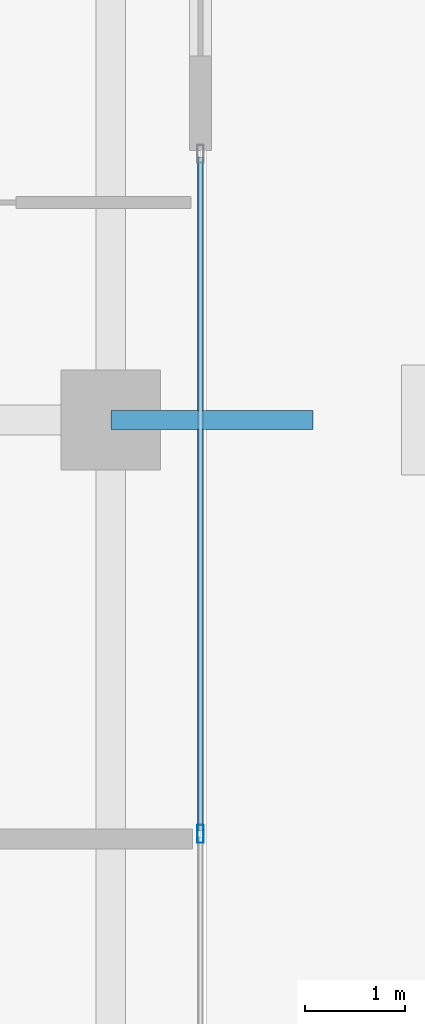
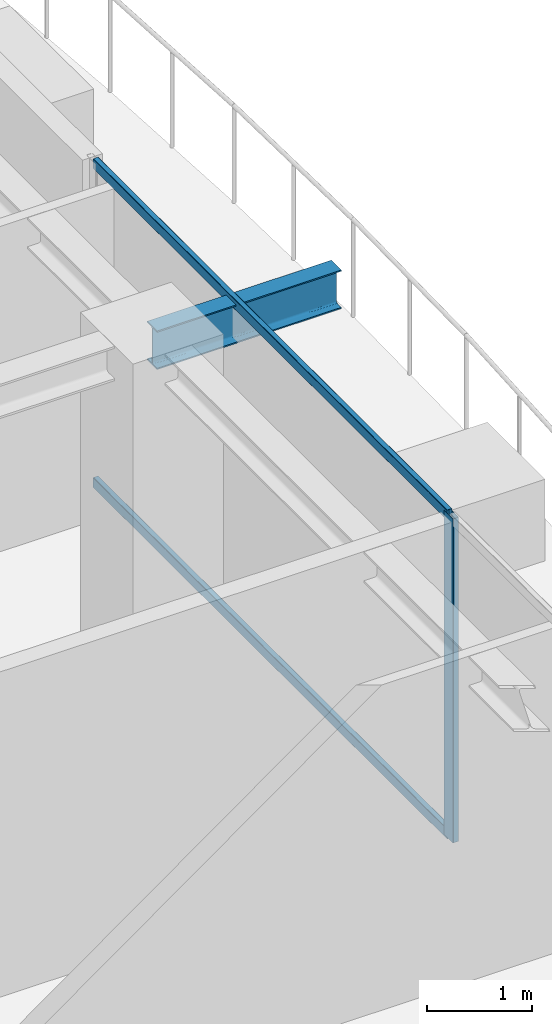
# One storey, part 15 of 41: 3 members, 1 beam, 1 element without a shape of its own.
"""IFC4 building model written with IfcOpenShell, lengths in metres."""

from ifc_helpers import new_model, si_unit, direction, frame, origin, origin_2d, place, context, subcontext, project, spatial, hollow_rectangle, i_section, extrude, source, transform, mapped, material, layer, layer_set, material_profile, profile_set, type_object, element, aggregate, save


model = new_model("IFC4")

# Units and contexts
model_context = context("Model", 3, precision=1e-05, world=origin(), true_north=direction((0.0, 1.0)))
body_context = subcontext(model_context, "Body", "Model", "MODEL_VIEW")
ifc_project = project(units=[si_unit("LENGTHUNIT", "METRE"), si_unit("AREAUNIT", "SQUARE_METRE"), si_unit("VOLUMEUNIT", "CUBIC_METRE"), si_unit("PLANEANGLEUNIT", "RADIAN"), si_unit("MASSUNIT", "GRAM", prefix="KILO")], contexts=[model_context])

# Site, building, storey
site_placement = place(None, origin())
site = spatial("IfcSite", under=ifc_project, at=site_placement, CompositionType="ELEMENT")
building_placement = place(site_placement, origin())
building = spatial("IfcBuilding", under=site, at=building_placement, Name="Serunith Strait Residences", CompositionType="ELEMENT")
storey_placement = place(building_placement, frame((0.0, 0.0, 301.550048828125)))
storey = spatial("IfcBuildingStorey", under=building, at=storey_placement, Name="L75", CompositionType="ELEMENT", Elevation=301.550048828125)

# Beam
ifc_material_1 = material(Name="Steel S355J2", Category="steel")
ifc_material_profile_1 = material_profile(ifc_material_1, i_section(OverallWidth=0.18994140625, OverallDepth=0.449951171875, WebThickness=0.009521484375, FlangeThickness=0.0146484375, FilletRadius=0.02099609375, at=origin_2d()), Name="IPE 450")
ifc_profile_set_1 = profile_set([ifc_material_profile_1], Name="Steel S355J2")
beam_type = type_object("IfcBeamType", Name="BM-IPE450", PredefinedType="JOIST", material=ifc_profile_set_1)
shared_shape_1 = source(origin(), body_context, "Body", "SweptSolid", [
    extrude(i_section(OverallWidth=0.18994140625, OverallDepth=0.449951171875, WebThickness=0.009521484375, FlangeThickness=0.0146484375, FilletRadius=0.02099609375, at=origin_2d()), origin(), (0.0, 0.0, 1.0), 2.030029296875),
])
beam_placement = place(storey_placement, frame((54.699951171875, 21.0, 3.531982421875), z_axis=(1.0, 0.0, 0.0), x_axis=(0.0, 1.0, 0.0)))
element("IfcBeam", 1, at=beam_placement, inside=storey, type_object=beam_type, Name="L76 Cantilevered Balcony Rib TC-E2", PredefinedType="JOIST", context=body_context, shape_type="MappedRepresentation", body=[
    mapped(shared_shape_1, transform((0.0, 0.0, 0.0), scale=1.0)),
])

# Curtain wall, members
ifc_material_2 = material(Name="Brushed Stainless-Silver Aluminium", Category="aluminium")
ifc_layer = layer(ifc_material_2, 0.199951171875, Name="Brushed Stainless-Silver Aluminium")
ifc_layer_set = layer_set([ifc_layer], Name="Brushed Stainless-Silver Aluminium")
curtain_wall_type = type_object("IfcCurtainWallType", Name="CW-SYS5", PredefinedType="NOTDEFINED", material=ifc_layer_set)
curtain_wall_placement = place(storey_placement, origin())
curtain_wall = element("IfcCurtainWall", 2, at=curtain_wall_placement, inside=storey, type_object=curtain_wall_type, Name="L75 E Unitised Fritted Curtain Wall", PredefinedType="NOTDEFINED")
ifc_material_profile_2 = material_profile(ifc_material_2, hollow_rectangle(XDim=0.06005859375, YDim=0.1201171875, WallThickness=0.00341796875, InnerFilletRadius=0.00537109375, OuterFilletRadius=0.0087890625, at=origin_2d()), Name="ALU 120x60x3.5")
ifc_profile_set_2 = profile_set([ifc_material_profile_2], Name="Brushed Stainless-Silver Aluminium")
member_type_1 = type_object("IfcMemberType", Name="CW-SYS5-TRAN", PredefinedType="USERDEFINED", material=ifc_profile_set_2)
shared_shape_2 = source(origin(), body_context, "Body", "SweptSolid", [
    extrude(hollow_rectangle(XDim=0.06005859375, YDim=0.1201171875, WallThickness=0.00341796875, InnerFilletRadius=0.00537109375, OuterFilletRadius=0.0087890625, at=origin_2d()), origin(), (0.0, 0.0, 1.0), 6.75244140625),
])
member_1_placement = place(storey_placement, frame((55.60009765625, 16.882568359375, 0.030029296875), z_axis=(0.0, 1.0, 0.0), x_axis=(-1.0, 0.0, 0.0)))
member_1 = element("IfcMember", 3, at=member_1_placement, type_object=member_type_1, Name="CW-5 transom 2.1", ObjectType="TRANSOM", PredefinedType="USERDEFINED", context=body_context, shape_type="MappedRepresentation", body=[
    mapped(shared_shape_2, transform((0.0, 0.0, 0.0), scale=1.0)),
])
member_2_placement = place(storey_placement, frame((55.60009765625, 16.882568359375, 3.744873046875), z_axis=(0.0, 1.0, 0.0), x_axis=(-1.0, 0.0, 0.0)))
member_2 = element("IfcMember", 4, at=member_2_placement, type_object=member_type_1, Name="CW-5 transom 2.2", ObjectType="TRANSOM", PredefinedType="USERDEFINED", context=body_context, shape_type="MappedRepresentation", body=[
    mapped(shared_shape_2, transform((0.0, 0.0, 0.0), scale=1.0)),
])
ifc_material_profile_3 = material_profile(ifc_material_2, hollow_rectangle(XDim=0.06494140625, YDim=0.179931640625, WallThickness=0.00341796875, InnerFilletRadius=0.00537109375, OuterFilletRadius=0.0087890625, at=origin_2d()), Name="ALU 180x65x3.5")
ifc_profile_set_3 = profile_set([ifc_material_profile_3], Name="Brushed Stainless-Silver Aluminium")
member_type_2 = type_object("IfcMemberType", Name="CW-SYS5-MULL", PredefinedType="MULLION", material=ifc_profile_set_3)
shared_shape_3 = source(origin(), body_context, "Body", "SweptSolid", [
    extrude(hollow_rectangle(XDim=0.06494140625, YDim=0.179931640625, WallThickness=0.00341796875, InnerFilletRadius=0.00537109375, OuterFilletRadius=0.0087890625, at=origin_2d()), origin(), (0.0, 0.0, 1.0), 3.77490234375),
])
member_3_placement = place(storey_placement, frame((55.60009765625, 16.85009765625, 0.0), z_axis=(0.0, 0.0, 1.0), x_axis=(-1.0, 0.0, 0.0)))
member_3 = element("IfcMember", 5, at=member_3_placement, type_object=member_type_2, Name="CW-5 mullion 2", PredefinedType="MULLION", context=body_context, shape_type="MappedRepresentation", body=[
    mapped(shared_shape_3, transform((0.0, 0.0, 0.0), scale=1.0)),
])
aggregate(curtain_wall, [member_3, member_1, member_2])

save(model, "model.ifc")
